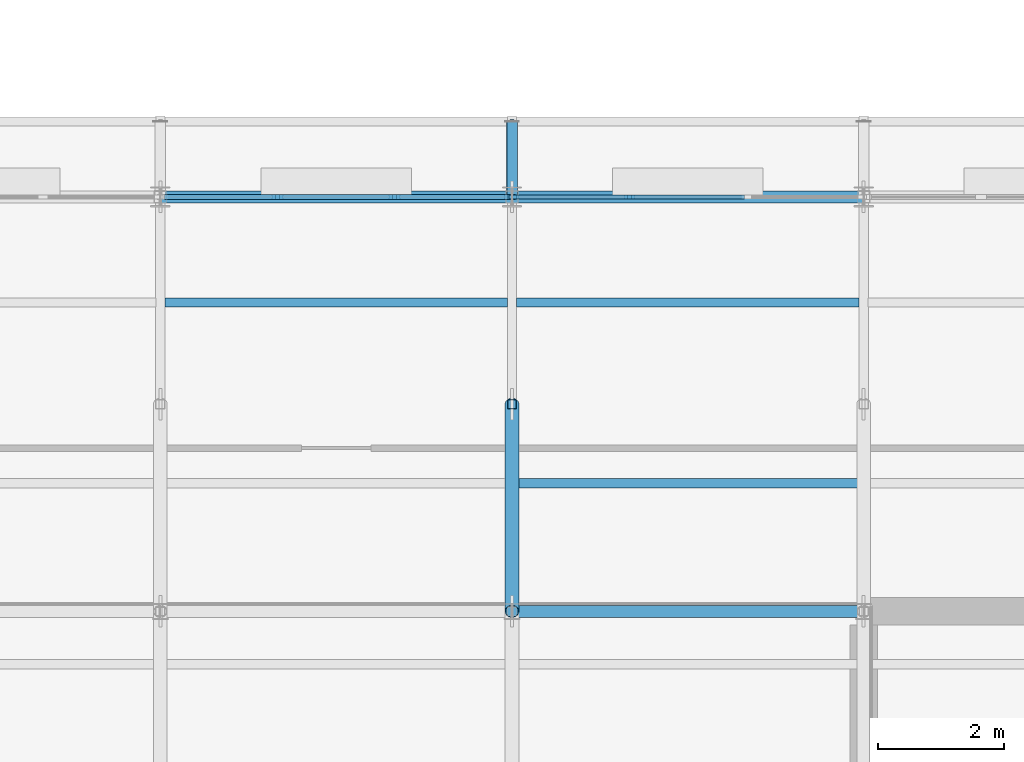
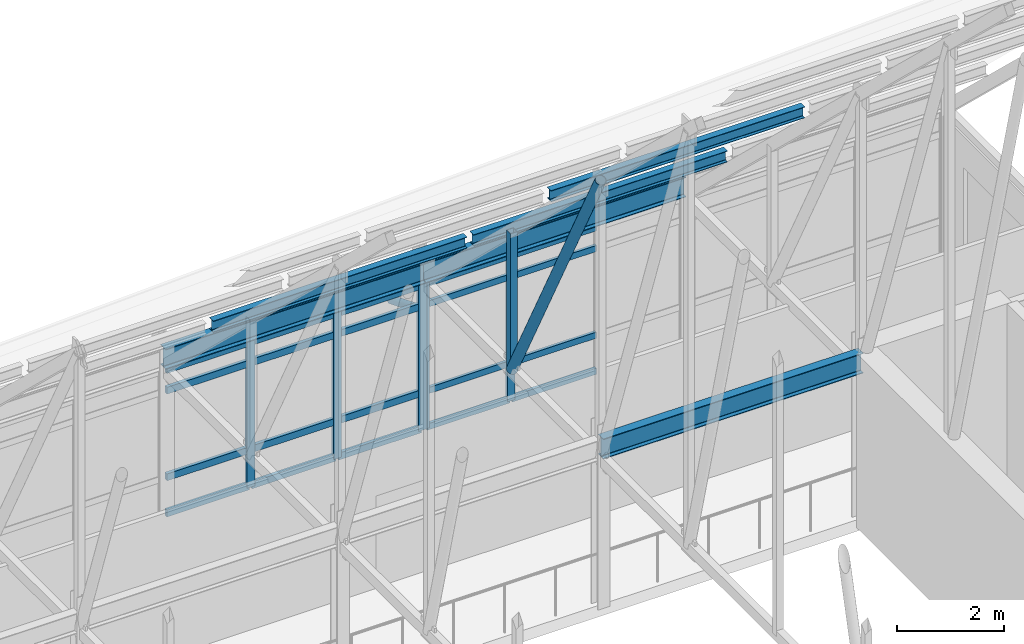
# One storey, part 52 of 144: 31 members, 3 beams, 2 elements without a shape of their own.
"""IFC4 building model written with IfcOpenShell, lengths in metres."""

from ifc_helpers import new_model, si_unit, direction, frame, origin, origin_2d, place, context, subcontext, project, spatial, rectangle, hollow_rectangle, hollow_circle, i_section, extrude, material, layer, layer_set, material_profile, profile_set, type_object, element, aggregate, save


model = new_model("IFC4")

# Units and contexts
model_context = context("Model", 3, precision=1e-05, world=origin(), true_north=direction((0.0, 1.0)))
body_context = subcontext(model_context, "Body", "Model", "MODEL_VIEW")
ifc_project = project(units=[si_unit("LENGTHUNIT", "METRE"), si_unit("AREAUNIT", "SQUARE_METRE"), si_unit("VOLUMEUNIT", "CUBIC_METRE"), si_unit("PLANEANGLEUNIT", "RADIAN"), si_unit("MASSUNIT", "GRAM", prefix="KILO")], contexts=[model_context])

# Site, building, storey
site_placement = place(None, origin())
site = spatial("IfcSite", under=ifc_project, at=site_placement, CompositionType="ELEMENT")
building_placement = place(site_placement, origin())
building = spatial("IfcBuilding", under=site, at=building_placement, Name="Trelmorton Wharf Fire Station", CompositionType="ELEMENT")
storey_placement = place(building_placement, frame((0.0, 0.0, 5.39990234375)))
storey = spatial("IfcBuildingStorey", under=building, at=storey_placement, Name="L01", CompositionType="ELEMENT", Elevation=5.39990234375)

# Curtain wall, members
ifc_material_1 = material(Name="Anodised aluminium AW-6063", Category="aluminium")
ifc_layer = layer(ifc_material_1, 0.175048828125)
ifc_layer_set = layer_set([ifc_layer], Name="Anodised aluminium AW-6063")
curtain_wall_type = type_object("IfcCurtainWallType", Name="CW_CHIC_B", PredefinedType="USERDEFINED", material=ifc_layer_set)
curtain_wall_1_placement = place(storey_placement, origin())
curtain_wall_1 = element("IfcCurtainWall", 1, at=curtain_wall_1_placement, inside=storey, type_object=curtain_wall_type, Name="CW-V1-L01-017", ObjectType="CHICAGO BAY CURTAIN WALL", PredefinedType="USERDEFINED")
ifc_material_profile_1 = material_profile(ifc_material_1, rectangle(XDim=0.06494140625, YDim=0.159912109375, at=origin_2d()), Name="ALU-65x160")
ifc_profile_set_1 = profile_set([ifc_material_profile_1], Name="Anodised aluminium AW-6063")
member_type_1 = type_object("IfcMemberType", Name="CWM_65x160", PredefinedType="MULLION", material=ifc_profile_set_1)
member_1_placement = place(storey_placement, frame((45.635009765625, 34.199951171875, 0.0), z_axis=(0.0, 0.0, 1.0), x_axis=(0.0, 1.0, 0.0)))
member_1 = element("IfcMember", 2, at=member_1_placement, type_object=member_type_1, Name="CW2 mullion 1", PredefinedType="MULLION", context=body_context, shape_type="SweptSolid", body=[
    extrude(rectangle(XDim=0.06494140625, YDim=0.159912109375, at=origin_2d()), origin(), (0.0, 0.0, 1.0), 3.320068359375),
])
member_2_placement = place(storey_placement, frame((47.46826171875, 34.199951171875, 0.0), z_axis=(0.0, 0.0, 1.0), x_axis=(0.0, 1.0, 0.0)))
member_2 = element("IfcMember", 3, at=member_2_placement, type_object=member_type_1, Name="CW2 mullion 2", PredefinedType="MULLION", context=body_context, shape_type="SweptSolid", body=[
    extrude(rectangle(XDim=0.06494140625, YDim=0.159912109375, at=origin_2d()), origin(), (0.0, 0.0, 1.0), 3.320068359375),
])

curtain_wall_2_placement = place(storey_placement, origin())
curtain_wall_2 = element("IfcCurtainWall", 4, at=curtain_wall_2_placement, inside=storey, type_object=curtain_wall_type, Name="CW-V1-L01-016", ObjectType="CHICAGO BAY CURTAIN WALL", PredefinedType="USERDEFINED")
ifc_material_profile_2 = material_profile(ifc_material_1, rectangle(XDim=0.074951171875, YDim=0.175048828125, at=origin_2d()), Name="ALU-75x175")
ifc_profile_set_2 = profile_set([ifc_material_profile_2], Name="Anodised aluminium AW-6063")
member_type_2 = type_object("IfcMemberType", Name="CWM_75x175", PredefinedType="MULLION", material=ifc_profile_set_2)
member_3_placement = place(storey_placement, frame((41.868408203125, 34.199951171875, 0.0), z_axis=(0.0, 0.0, 1.0), x_axis=(0.0, 1.0, 0.0)))
member_3 = element("IfcMember", 5, at=member_3_placement, type_object=member_type_2, Name="CW2 mullion 2", PredefinedType="MULLION", context=body_context, shape_type="SweptSolid", body=[
    extrude(rectangle(XDim=0.074951171875, YDim=0.175048828125, at=origin_2d()), origin(), (0.0, 0.0, 1.0), 3.320068359375),
])
member_4_placement = place(storey_placement, frame((43.731689453125, 34.199951171875, 0.0), z_axis=(0.0, 0.0, 1.0), x_axis=(0.0, 1.0, 0.0)))
member_4 = element("IfcMember", 6, at=member_4_placement, type_object=member_type_2, Name="CW2 mullion 3", PredefinedType="MULLION", context=body_context, shape_type="SweptSolid", body=[
    extrude(rectangle(XDim=0.074951171875, YDim=0.175048828125, at=origin_2d()), origin(), (0.0, 0.0, 1.0), 3.320068359375),
])
member_5_placement = place(storey_placement, frame((45.56494140625, 34.199951171875, 0.0), z_axis=(0.0, 0.0, 1.0), x_axis=(0.0, 1.0, 0.0)))
member_5 = element("IfcMember", 7, at=member_5_placement, type_object=member_type_2, Name="CW2 mullion 4", PredefinedType="MULLION", context=body_context, shape_type="SweptSolid", body=[
    extrude(rectangle(XDim=0.074951171875, YDim=0.175048828125, at=origin_2d()), origin(), (0.0, 0.0, 1.0), 3.320068359375),
])

# Member
ifc_material_profile_3 = material_profile(ifc_material_1, rectangle(XDim=0.06494140625, YDim=0.139892578125, at=origin_2d()), Name="ALU-65x140")
ifc_profile_set_3 = profile_set([ifc_material_profile_3], Name="Anodised aluminium AW-6063")
member_type_3 = type_object("IfcMemberType", Name="CWT_65x140", PredefinedType="USERDEFINED", material=ifc_profile_set_3)
member_6_placement = place(storey_placement, frame((45.6650390625, 34.199951171875, 0.030029296875), z_axis=(1.0, 0.0, 0.0), x_axis=(0.0, 1.0, 0.0)))
member_6 = element("IfcMember", 8, at=member_6_placement, type_object=member_type_3, Name="CW2 transom 1.1", ObjectType="TRANSOM", PredefinedType="USERDEFINED", context=body_context, shape_type="SweptSolid", body=[
    extrude(rectangle(XDim=0.06494140625, YDim=0.139892578125, at=origin_2d()), origin(), (0.0, 0.0, 1.0), 1.773193359375),
])

member_7_placement = place(storey_placement, frame((45.6650390625, 34.199951171875, 0.85009765625), z_axis=(1.0, 0.0, 0.0), x_axis=(0.0, 1.0, 0.0)))
member_7 = element("IfcMember", 9, at=member_7_placement, type_object=member_type_3, Name="CW2 transom 1.2", ObjectType="TRANSOM", PredefinedType="USERDEFINED", context=body_context, shape_type="SweptSolid", body=[
    extrude(rectangle(XDim=0.06494140625, YDim=0.139892578125, at=origin_2d()), origin(), (0.0, 0.0, 1.0), 1.773193359375),
])

member_8_placement = place(storey_placement, frame((45.6650390625, 34.199951171875, 2.820068359375), z_axis=(1.0, 0.0, 0.0), x_axis=(0.0, 1.0, 0.0)))
member_8 = element("IfcMember", 10, at=member_8_placement, type_object=member_type_3, Name="CW2 transom 1.3", ObjectType="TRANSOM", PredefinedType="USERDEFINED", context=body_context, shape_type="SweptSolid", body=[
    extrude(rectangle(XDim=0.06494140625, YDim=0.139892578125, at=origin_2d()), origin(), (0.0, 0.0, 1.0), 1.773193359375),
])

member_9_placement = place(storey_placement, frame((45.6650390625, 34.199951171875, 3.2900390625), z_axis=(1.0, 0.0, 0.0), x_axis=(0.0, 1.0, 0.0)))
member_9 = element("IfcMember", 11, at=member_9_placement, type_object=member_type_3, Name="CW2 transom 1.4", ObjectType="TRANSOM", PredefinedType="USERDEFINED", context=body_context, shape_type="SweptSolid", body=[
    extrude(rectangle(XDim=0.06494140625, YDim=0.139892578125, at=origin_2d()), origin(), (0.0, 0.0, 1.0), 1.773193359375),
])

member_10_placement = place(storey_placement, frame((47.498291015625, 34.199951171875, 0.030029296875), z_axis=(1.0, 0.0, 0.0), x_axis=(0.0, 1.0, 0.0)))
member_10 = element("IfcMember", 12, at=member_10_placement, type_object=member_type_3, Name="CW2 transom 2.1", ObjectType="TRANSOM", PredefinedType="USERDEFINED", context=body_context, shape_type="SweptSolid", body=[
    extrude(rectangle(XDim=0.06494140625, YDim=0.139892578125, at=origin_2d()), origin(), (0.0, 0.0, 1.0), 1.803466796875),
])

member_11_placement = place(storey_placement, frame((47.498291015625, 34.199951171875, 0.85009765625), z_axis=(1.0, 0.0, 0.0), x_axis=(0.0, 1.0, 0.0)))
member_11 = element("IfcMember", 13, at=member_11_placement, type_object=member_type_3, Name="CW2 transom 2.2", ObjectType="TRANSOM", PredefinedType="USERDEFINED", context=body_context, shape_type="SweptSolid", body=[
    extrude(rectangle(XDim=0.06494140625, YDim=0.139892578125, at=origin_2d()), origin(), (0.0, 0.0, 1.0), 1.803466796875),
])

member_12_placement = place(storey_placement, frame((47.498291015625, 34.199951171875, 2.820068359375), z_axis=(1.0, 0.0, 0.0), x_axis=(0.0, 1.0, 0.0)))
member_12 = element("IfcMember", 14, at=member_12_placement, type_object=member_type_3, Name="CW2 transom 2.3", ObjectType="TRANSOM", PredefinedType="USERDEFINED", context=body_context, shape_type="SweptSolid", body=[
    extrude(rectangle(XDim=0.06494140625, YDim=0.139892578125, at=origin_2d()), origin(), (0.0, 0.0, 1.0), 1.803466796875),
])

member_13_placement = place(storey_placement, frame((47.498291015625, 34.199951171875, 3.2900390625), z_axis=(1.0, 0.0, 0.0), x_axis=(0.0, 1.0, 0.0)))
member_13 = element("IfcMember", 15, at=member_13_placement, type_object=member_type_3, Name="CW2 transom 2.4", ObjectType="TRANSOM", PredefinedType="USERDEFINED", context=body_context, shape_type="SweptSolid", body=[
    extrude(rectangle(XDim=0.06494140625, YDim=0.139892578125, at=origin_2d()), origin(), (0.0, 0.0, 1.0), 1.803466796875),
])

aggregate(curtain_wall_1, [member_1, member_2, member_6, member_7, member_8, member_9, member_10, member_11, member_12, member_13])

ifc_material_profile_4 = material_profile(ifc_material_1, rectangle(XDim=0.074951171875, YDim=0.155029296875, at=origin_2d()), Name="ALU-75x155")
ifc_profile_set_4 = profile_set([ifc_material_profile_4], Name="Anodised aluminium AW-6063")
member_type_4 = type_object("IfcMemberType", Name="CWT_75x155", PredefinedType="USERDEFINED", material=ifc_profile_set_4)
member_14_placement = place(storey_placement, frame((40.06494140625, 34.199951171875, 0.030029296875), z_axis=(1.0, 0.0, 0.0), x_axis=(0.0, 1.0, 0.0)))
member_14 = element("IfcMember", 16, at=member_14_placement, type_object=member_type_4, Name="CW2 transom 1.1", ObjectType="TRANSOM", PredefinedType="USERDEFINED", context=body_context, shape_type="SweptSolid", body=[
    extrude(rectangle(XDim=0.074951171875, YDim=0.155029296875, at=origin_2d()), origin(), (0.0, 0.0, 1.0), 1.7734375),
])

member_15_placement = place(storey_placement, frame((40.06494140625, 34.199951171875, 0.85009765625), z_axis=(1.0, 0.0, 0.0), x_axis=(0.0, 1.0, 0.0)))
member_15 = element("IfcMember", 17, at=member_15_placement, type_object=member_type_4, Name="CW2 transom 1.2", ObjectType="TRANSOM", PredefinedType="USERDEFINED", context=body_context, shape_type="SweptSolid", body=[
    extrude(rectangle(XDim=0.074951171875, YDim=0.155029296875, at=origin_2d()), origin(), (0.0, 0.0, 1.0), 1.7734375),
])

member_16_placement = place(storey_placement, frame((40.06494140625, 34.199951171875, 2.820068359375), z_axis=(1.0, 0.0, 0.0), x_axis=(0.0, 1.0, 0.0)))
member_16 = element("IfcMember", 18, at=member_16_placement, type_object=member_type_4, Name="CW2 transom 1.3", ObjectType="TRANSOM", PredefinedType="USERDEFINED", context=body_context, shape_type="SweptSolid", body=[
    extrude(rectangle(XDim=0.074951171875, YDim=0.155029296875, at=origin_2d()), origin(), (0.0, 0.0, 1.0), 1.7734375),
])

member_17_placement = place(storey_placement, frame((40.06494140625, 34.199951171875, 3.2900390625), z_axis=(1.0, 0.0, 0.0), x_axis=(0.0, 1.0, 0.0)))
member_17 = element("IfcMember", 19, at=member_17_placement, type_object=member_type_4, Name="CW2 transom 1.4", ObjectType="TRANSOM", PredefinedType="USERDEFINED", context=body_context, shape_type="SweptSolid", body=[
    extrude(rectangle(XDim=0.074951171875, YDim=0.155029296875, at=origin_2d()), origin(), (0.0, 0.0, 1.0), 1.7734375),
])

member_18_placement = place(storey_placement, frame((41.8984375, 34.199951171875, 0.030029296875), z_axis=(1.0, 0.0, 0.0), x_axis=(0.0, 1.0, 0.0)))
member_18 = element("IfcMember", 20, at=member_18_placement, type_object=member_type_4, Name="CW2 transom 2.1", ObjectType="TRANSOM", PredefinedType="USERDEFINED", context=body_context, shape_type="SweptSolid", body=[
    extrude(rectangle(XDim=0.074951171875, YDim=0.155029296875, at=origin_2d()), origin(), (0.0, 0.0, 1.0), 1.80322265625),
])

member_19_placement = place(storey_placement, frame((41.8984375, 34.199951171875, 0.85009765625), z_axis=(1.0, 0.0, 0.0), x_axis=(0.0, 1.0, 0.0)))
member_19 = element("IfcMember", 21, at=member_19_placement, type_object=member_type_4, Name="CW2 transom 2.2", ObjectType="TRANSOM", PredefinedType="USERDEFINED", context=body_context, shape_type="SweptSolid", body=[
    extrude(rectangle(XDim=0.074951171875, YDim=0.155029296875, at=origin_2d()), origin(), (0.0, 0.0, 1.0), 1.80322265625),
])

member_20_placement = place(storey_placement, frame((41.8984375, 34.199951171875, 2.820068359375), z_axis=(1.0, 0.0, 0.0), x_axis=(0.0, 1.0, 0.0)))
member_20 = element("IfcMember", 22, at=member_20_placement, type_object=member_type_4, Name="CW2 transom 2.3", ObjectType="TRANSOM", PredefinedType="USERDEFINED", context=body_context, shape_type="SweptSolid", body=[
    extrude(rectangle(XDim=0.074951171875, YDim=0.155029296875, at=origin_2d()), origin(), (0.0, 0.0, 1.0), 1.80322265625),
])

member_21_placement = place(storey_placement, frame((41.8984375, 34.199951171875, 3.2900390625), z_axis=(1.0, 0.0, 0.0), x_axis=(0.0, 1.0, 0.0)))
member_21 = element("IfcMember", 23, at=member_21_placement, type_object=member_type_4, Name="CW2 transom 2.4", ObjectType="TRANSOM", PredefinedType="USERDEFINED", context=body_context, shape_type="SweptSolid", body=[
    extrude(rectangle(XDim=0.074951171875, YDim=0.155029296875, at=origin_2d()), origin(), (0.0, 0.0, 1.0), 1.80322265625),
])

member_22_placement = place(storey_placement, frame((43.76171875, 34.199951171875, 0.030029296875), z_axis=(1.0, 0.0, 0.0), x_axis=(0.0, 1.0, 0.0)))
member_22 = element("IfcMember", 24, at=member_22_placement, type_object=member_type_4, Name="CW2 transom 3.1", ObjectType="TRANSOM", PredefinedType="USERDEFINED", context=body_context, shape_type="SweptSolid", body=[
    extrude(rectangle(XDim=0.074951171875, YDim=0.155029296875, at=origin_2d()), origin(), (0.0, 0.0, 1.0), 1.773193359375),
])

member_23_placement = place(storey_placement, frame((43.76171875, 34.199951171875, 0.85009765625), z_axis=(1.0, 0.0, 0.0), x_axis=(0.0, 1.0, 0.0)))
member_23 = element("IfcMember", 25, at=member_23_placement, type_object=member_type_4, Name="CW2 transom 3.2", ObjectType="TRANSOM", PredefinedType="USERDEFINED", context=body_context, shape_type="SweptSolid", body=[
    extrude(rectangle(XDim=0.074951171875, YDim=0.155029296875, at=origin_2d()), origin(), (0.0, 0.0, 1.0), 1.773193359375),
])

member_24_placement = place(storey_placement, frame((43.76171875, 34.199951171875, 2.820068359375), z_axis=(1.0, 0.0, 0.0), x_axis=(0.0, 1.0, 0.0)))
member_24 = element("IfcMember", 26, at=member_24_placement, type_object=member_type_4, Name="CW2 transom 3.3", ObjectType="TRANSOM", PredefinedType="USERDEFINED", context=body_context, shape_type="SweptSolid", body=[
    extrude(rectangle(XDim=0.074951171875, YDim=0.155029296875, at=origin_2d()), origin(), (0.0, 0.0, 1.0), 1.773193359375),
])

member_25_placement = place(storey_placement, frame((43.76171875, 34.199951171875, 3.2900390625), z_axis=(1.0, 0.0, 0.0), x_axis=(0.0, 1.0, 0.0)))
member_25 = element("IfcMember", 27, at=member_25_placement, type_object=member_type_4, Name="CW2 transom 3.4", ObjectType="TRANSOM", PredefinedType="USERDEFINED", context=body_context, shape_type="SweptSolid", body=[
    extrude(rectangle(XDim=0.074951171875, YDim=0.155029296875, at=origin_2d()), origin(), (0.0, 0.0, 1.0), 1.773193359375),
])

aggregate(curtain_wall_2, [member_3, member_4, member_5, member_14, member_15, member_16, member_17, member_18, member_19, member_20, member_21, member_22, member_23, member_24, member_25])

# Members
ifc_material_2 = material(Name="Steel Grade 300 (300 MPa)", Category="steel")
ifc_material_profile_5 = material_profile(ifc_material_2, i_section(OverallWidth=0.14599609375, OverallDepth=0.256103515625, WebThickness=0.00634765625, FlangeThickness=0.010986328125, FilletRadius=0.0087890625, at=origin_2d()), Name="250UB37.3")
ifc_profile_set_5 = profile_set([ifc_material_profile_5], Name="Steel Grade 300 (300 MPa)")
member_type_5 = type_object("IfcMemberType", Name="PR_250UB37", PredefinedType="PURLIN", material=ifc_profile_set_5)
member_26_placement = place(storey_placement, frame((40.072021484375, 32.52001953125, 5.315185546875), z_axis=(1.0, 0.0, 0.0), x_axis=(0.0, 1.0, 0.0)))
element("IfcMember", 28, at=member_26_placement, inside=storey, type_object=member_type_5, Name="V1-PR-B08-N4", PredefinedType="PURLIN", context=body_context, shape_type="SweptSolid", body=[
    extrude(i_section(OverallWidth=0.14599609375, OverallDepth=0.256103515625, WebThickness=0.00634765625, FlangeThickness=0.010986328125, FilletRadius=0.0087890625, at=origin_2d()), origin(), (0.0, 0.0, 1.0), 5.4560546875),
])
for number, where, z_axis, x_axis, name in (
    (29, (45.672119140625, 29.639892578125, 8.064453125), (1.0, 0.0, 0.0), (0.0, 1.0, 0.0), "V1-PR-B09-N3"),
    (30, (45.672119140625, 32.52001953125, 5.315185546875), (1.0, 0.0, 0.0), (0.0, 1.0, 0.0), "V1-PR-B09-N4"),
):
    element("IfcMember", number, at=place(storey_placement, frame(where, z_axis=z_axis, x_axis=x_axis)), inside=storey, type_object=member_type_5, Name=name, PredefinedType="PURLIN", context=body_context, shape_type="SweptSolid", body=[
        extrude(i_section(OverallWidth=0.14599609375, OverallDepth=0.256103515625, WebThickness=0.00634765625, FlangeThickness=0.010986328125, FilletRadius=0.0087890625, at=origin_2d()), origin(), (0.0, 0.0, 1.0), 5.455810546875),
    ])

# Beams
ifc_material_3 = material(Name="Steel Grade 350", Category="steel")
ifc_material_profile_6 = material_profile(ifc_material_3, i_section(OverallWidth=0.18994140625, OverallDepth=0.45703125, WebThickness=0.009033203125, FlangeThickness=0.014404296875, FilletRadius=0.011474609375, at=origin_2d()), Name="460UB74.6")
ifc_profile_set_6 = profile_set([ifc_material_profile_6], Name="Steel Grade 350")
beam_type = type_object("IfcBeamType", Name="SP_460UB75", PredefinedType="SPANDREL", material=ifc_profile_set_6)
for number, where, z_axis, x_axis, name in (
    (31, (45.60400390625, 27.60009765625, 3.591552734375), (1.0, 0.0, 0.0), (0.0, 1.0, 0.0), "BM-L01-0460"),
    (32, (40.00390625, 34.199951171875, 3.591552734375), (1.0, 0.0, 0.0), (0.0, 1.0, 0.0), "BM-L01-0478"),
    (33, (45.60400390625, 34.199951171875, 3.591552734375), (1.0, 0.0, 0.0), (0.0, 1.0, 0.0), "BM-L01-0479"),
):
    element("IfcBeam", number, at=place(storey_placement, frame(where, z_axis=z_axis, x_axis=x_axis)), inside=storey, type_object=beam_type, Name=name, PredefinedType="SPANDREL", context=body_context, shape_type="SweptSolid", body=[
        extrude(i_section(OverallWidth=0.18994140625, OverallDepth=0.45703125, WebThickness=0.009033203125, FlangeThickness=0.014404296875, FilletRadius=0.011474609375, at=origin_2d()), origin(), (0.0, 0.0, 1.0), 5.592041015625),
    ])

# Members
ifc_material_4 = material(Name="Steel C350L0 (350 MPa)", Category="steel")
ifc_material_profile_7 = material_profile(ifc_material_4, hollow_circle(Radius=0.084228515625, WallThickness=0.007080078125, at=origin_2d()), Name="168.3x7.1CHS")
ifc_profile_set_7 = profile_set([ifc_material_profile_7], Name="Steel C350L0 (350 MPa)")
member_type_6 = type_object("IfcMemberType", Name="TR_DIAG_168CHS", PredefinedType="STRUT", material=ifc_profile_set_7)
member_27_placement = place(storey_placement, frame((45.60009765625, 34.199951171875, 2.7001953125), z_axis=(0.0, 0.924732639899, -0.380617320553), x_axis=(-1.0, 0.0, 0.0)))
element("IfcMember", 34, at=member_27_placement, inside=storey, type_object=member_type_6, Name="V1-TR09-EAV-N", PredefinedType="STRUT", context=body_context, shape_type="SweptSolid", body=[
    extrude(hollow_circle(Radius=0.084228515625, WallThickness=0.007080078125, at=origin_2d()), origin(), (0.0, 0.0, 1.0), 1.297607421875),
])
ifc_material_profile_8 = material_profile(ifc_material_4, hollow_circle(Radius=0.109619140625, WallThickness=0.00830078125, at=origin_2d()), Name="219.1x8.2CHS")
ifc_profile_set_8 = profile_set([ifc_material_profile_8], Name="Steel C350L0 (350 MPa)")
member_type_7 = type_object("IfcMemberType", Name="TR_DIAG_219CHS", PredefinedType="STRUT", material=ifc_profile_set_8)
member_28_placement = place(storey_placement, frame((45.60009765625, 30.89990234375, 3.351806640625), z_axis=(0.0, -0.463982622554, 0.8858443012), x_axis=(1.0, 0.0, 0.0)))
element("IfcMember", 35, at=member_28_placement, inside=storey, type_object=member_type_7, Name="V1-TR09-DG-N1", PredefinedType="STRUT", context=body_context, shape_type="SweptSolid", body=[
    extrude(hollow_circle(Radius=0.109619140625, WallThickness=0.00830078125, at=origin_2d()), origin(), (0.0, 0.0, 1.0), 7.11181640625),
])
ifc_material_profile_9 = material_profile(ifc_material_4, hollow_rectangle(XDim=0.14990234375, YDim=0.14990234375, WallThickness=0.009033203125, at=origin_2d()), Name="150x150x9.0SHS")
ifc_profile_set_9 = profile_set([ifc_material_profile_9], Name="Steel C350L0 (350 MPa)")
member_type_8 = type_object("IfcMemberType", Name="TR_POST_150SHS", PredefinedType="POST", material=ifc_profile_set_9)
member_29_placement = place(storey_placement, frame((45.60009765625, 30.89990234375, 3.351806640625), z_axis=(0.0, 0.0, 1.0), x_axis=(1.0, 0.0, 0.0)))
element("IfcMember", 36, at=member_29_placement, inside=storey, type_object=member_type_8, Name="V1-TR09-VP-N1", PredefinedType="POST", context=body_context, shape_type="SweptSolid", body=[
    extrude(hollow_rectangle(XDim=0.14990234375, YDim=0.14990234375, WallThickness=0.009033203125, at=origin_2d()), origin(), (0.0, 0.0, 1.0), 3.150146484375),
])

save(model, "model.ifc")
